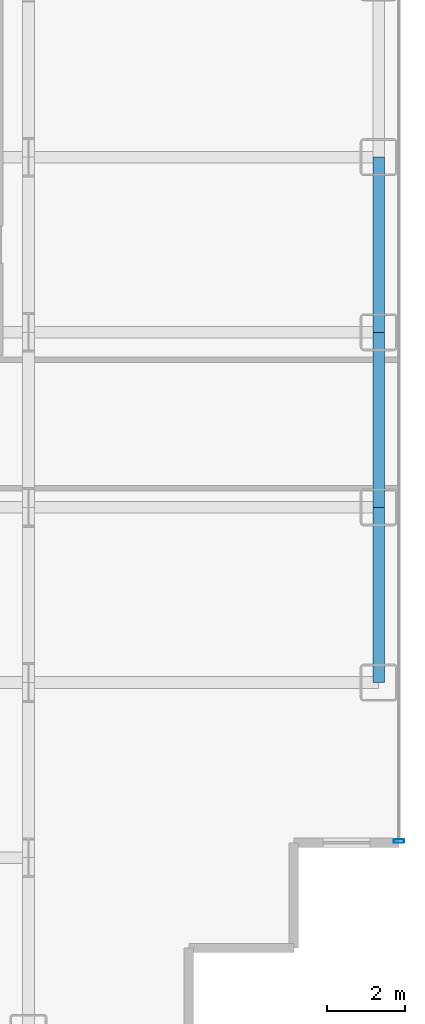
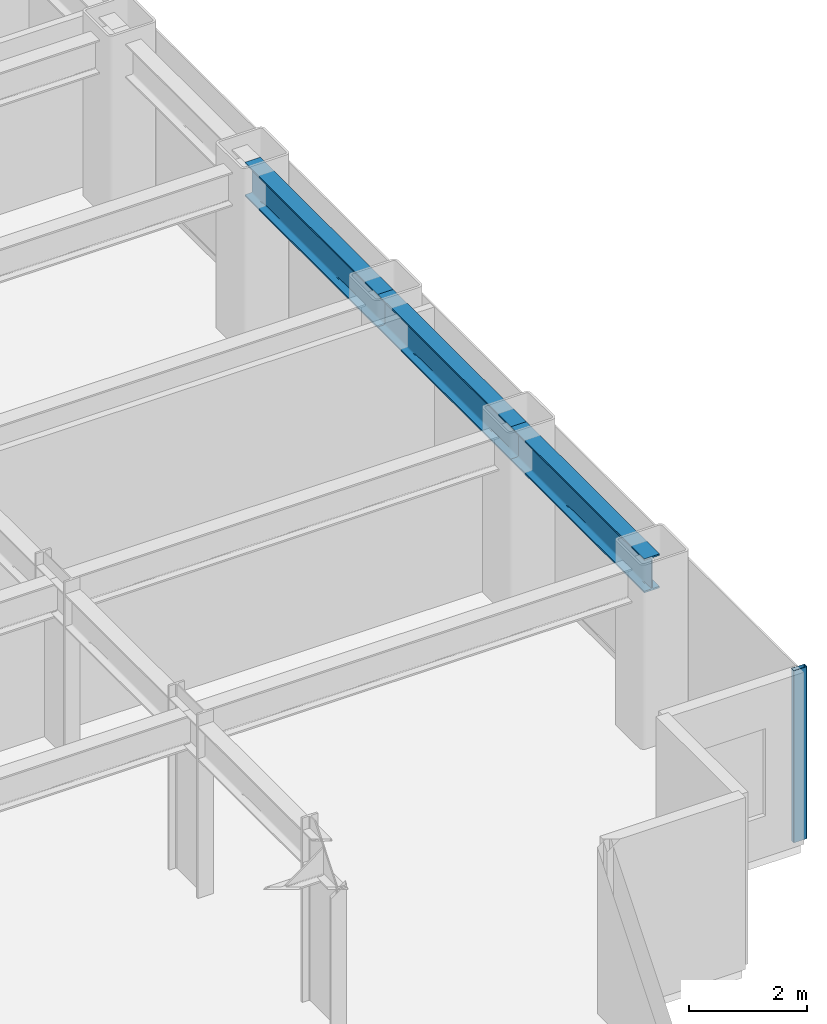
# One storey, part 16 of 26: 3 beams, 1 member, 1 element without a shape of its own.
"""IFC4 building model written with IfcOpenShell, lengths in metres."""

from ifc_helpers import new_model, si_unit, direction, frame, origin, origin_2d, place, context, subcontext, project, spatial, hollow_rectangle, i_section, extrude, source, transform, mapped, material, layer, layer_set, material_profile, profile_set, type_object, element, aggregate, save


model = new_model("IFC4")

# Units and contexts
model_context = context("Model", 3, precision=1e-05, world=origin(), true_north=direction((0.0, 1.0)))
body_context = subcontext(model_context, "Body", "Model", "MODEL_VIEW")
ifc_project = project(units=[si_unit("LENGTHUNIT", "METRE"), si_unit("AREAUNIT", "SQUARE_METRE"), si_unit("VOLUMEUNIT", "CUBIC_METRE"), si_unit("PLANEANGLEUNIT", "RADIAN"), si_unit("MASSUNIT", "GRAM", prefix="KILO")], contexts=[model_context])

# Site, building, storey
site_placement = place(None, origin())
site = spatial("IfcSite", under=ifc_project, at=site_placement, CompositionType="ELEMENT")
building_placement = place(site_placement, origin())
building = spatial("IfcBuilding", under=site, at=building_placement, Name="Nefas-Gora Pilgrimage Tower", CompositionType="ELEMENT")
storey_placement = place(building_placement, frame((0.0, 0.0, 63.39990234375)))
storey = spatial("IfcBuildingStorey", under=building, at=storey_placement, Name="L14", CompositionType="ELEMENT", Elevation=63.39990234375)

# Beams
ifc_material_1 = material(Name="Steel S355", Category="steel")
ifc_material_profile_1 = material_profile(ifc_material_1, i_section(OverallWidth=0.300048828125, OverallDepth=0.699951171875, WebThickness=0.01708984375, FlangeThickness=0.031982421875, FilletRadius=0.027099609375, at=origin_2d()), Name="HEB 700")
ifc_profile_set_1 = profile_set([ifc_material_profile_1], Name="Steel S355")
beam_type = type_object("IfcBeamType", Name="BM-SPN-HEB600", PredefinedType="SPANDREL", material=ifc_profile_set_1)
shared_shape_1 = source(origin(), body_context, "Body", "SweptSolid", [
    extrude(i_section(OverallWidth=0.300048828125, OverallDepth=0.699951171875, WebThickness=0.01708984375, FlangeThickness=0.031982421875, FilletRadius=0.027099609375, at=origin_2d()), origin(), (0.0, 0.0, 1.0), 4.5),
])
for number, where, z_axis, x_axis, name in (
    (1, (33.75, -13.5, 3.2001953125), (0.0, 1.0, 0.0), (-1.0, 0.0, 0.0), "L14 SP-01 beam"),
    (2, (33.75, -9.0, 3.2001953125), (0.0, 1.0, 0.0), (-1.0, 0.0, 0.0), "L14 SP-01 beam"),
    (3, (33.75, -4.5, 3.2001953125), (0.0, 1.0, 0.0), (-1.0, 0.0, 0.0), "L14 SP-01 beam"),
):
    element("IfcBeam", number, at=place(storey_placement, frame(where, z_axis=z_axis, x_axis=x_axis)), inside=storey, type_object=beam_type, Name=name, PredefinedType="SPANDREL", context=body_context, shape_type="MappedRepresentation", body=[
        mapped(shared_shape_1, transform((0.0, 0.0, 0.0), x_axis=(1.0, 0.0, 0.0), y_axis=(0.0, 1.0, 0.0), z_axis=(0.0, 0.0, 1.0), scale=1.0)),
    ])

# Curtain wall, member
ifc_material_2 = material(Name="Dark ceramic-fritted solar-control aluminium-glass curtain wall", Category="aluminium")
ifc_layer = layer(ifc_material_2, 0.219970703125)
ifc_layer_set = layer_set([ifc_layer], Name="Dark ceramic-fritted solar-control aluminium-glass curtain wall")
curtain_wall_type = type_object("IfcCurtainWallType", Name="CW-SYS-2", PredefinedType="NOTDEFINED", material=ifc_layer_set)
curtain_wall_placement = place(storey_placement, origin())
curtain_wall = element("IfcCurtainWall", 4, at=curtain_wall_placement, inside=storey, type_object=curtain_wall_type, Name="L14 Unitised Curtain Wall CW2", PredefinedType="NOTDEFINED")
ifc_material_3 = material(Name="Anodised architectural aluminium", Category="aluminium")
ifc_material_profile_2 = material_profile(ifc_material_3, hollow_rectangle(XDim=0.090087890625, YDim=0.260009765625, WallThickness=0.006103515625, InnerFilletRadius=0.006103515625, OuterFilletRadius=0.011962890625, at=origin_2d()), Name="ALU MULLION 90x260")
ifc_profile_set_2 = profile_set([ifc_material_profile_2], Name="Anodised architectural aluminium")
member_type = type_object("IfcMemberType", Name="CWM-MUL-2", PredefinedType="MULLION", material=ifc_profile_set_2)
shared_shape_2 = source(origin(), body_context, "Body", "SweptSolid", [
    extrude(hollow_rectangle(XDim=0.090087890625, YDim=0.260009765625, WallThickness=0.006103515625, InnerFilletRadius=0.006103515625, OuterFilletRadius=0.011962890625, at=origin_2d()), origin(), (0.0, 0.0, 1.0), 3.550048828125),
])
member_placement = place(storey_placement, frame((34.27001953125, -17.574951171875, 0.0), z_axis=(0.0, 0.0, 1.0), x_axis=(0.0, 1.0, 0.0)))
member = element("IfcMember", 5, at=member_placement, type_object=member_type, Name="CW2 Mullion 1", PredefinedType="MULLION", context=body_context, shape_type="MappedRepresentation", body=[
    mapped(shared_shape_2, transform((0.0, 0.0, 0.0), x_axis=(1.0, 0.0, 0.0), y_axis=(0.0, 1.0, 0.0), z_axis=(0.0, 0.0, 1.0), scale=1.0)),
])
aggregate(curtain_wall, [member])

save(model, "model.ifc")
